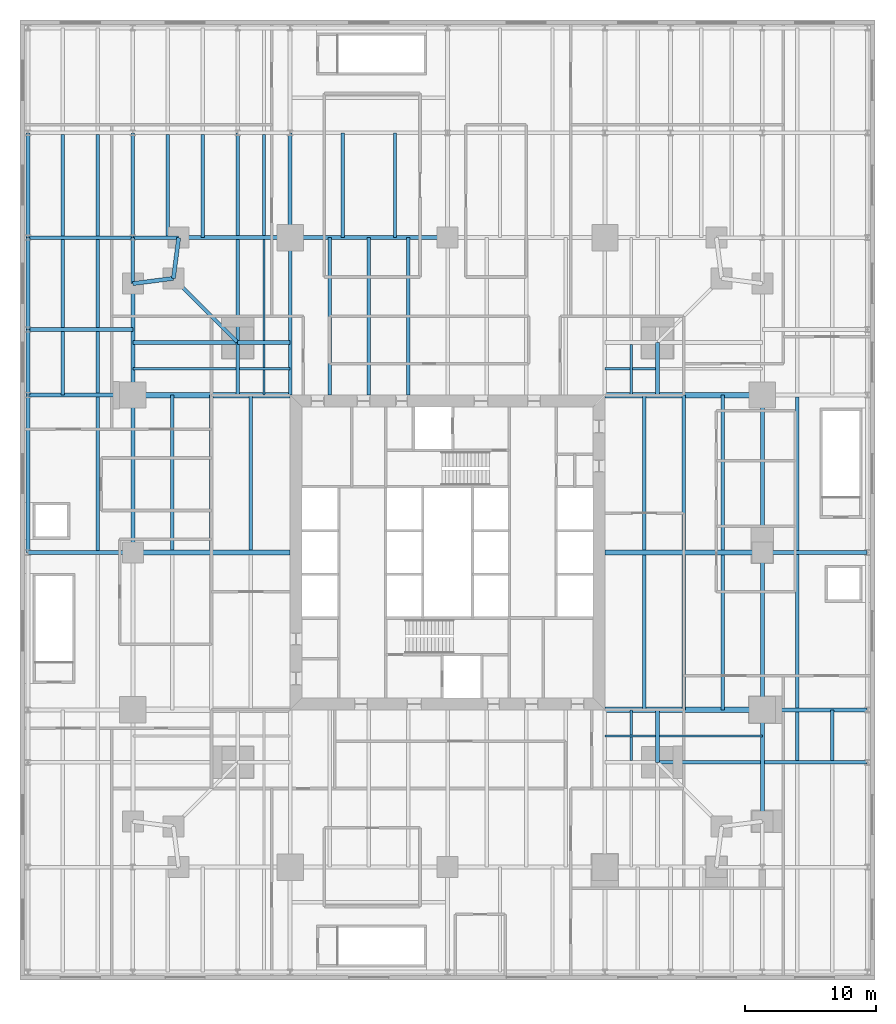
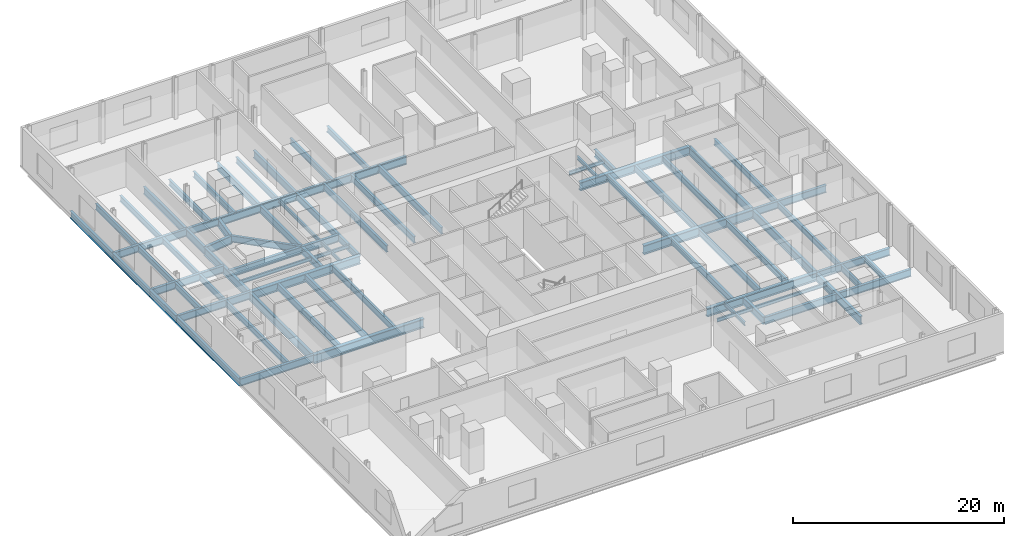
# One storey, part 6 of 15: 79 beams.
"""IFC4 building model written with IfcOpenShell, lengths in metres."""

from ifc_helpers import new_model, si_unit, direction, frame, origin, origin_2d, place, context, subcontext, project, spatial, i_section, extrude, material, material_profile, profile_set, type_object, element, save


model = new_model("IFC4")

# Units and contexts
model_context = context("Model", 3, precision=1e-05, world=origin(), true_north=direction((0.0, 1.0)))
body_context = subcontext(model_context, "Body", "Model", "MODEL_VIEW")
ifc_project = project(units=[si_unit("LENGTHUNIT", "METRE"), si_unit("AREAUNIT", "SQUARE_METRE"), si_unit("VOLUMEUNIT", "CUBIC_METRE"), si_unit("PLANEANGLEUNIT", "RADIAN"), si_unit("MASSUNIT", "GRAM", prefix="KILO")], contexts=[model_context])

# Site, building, storey
site_placement = place(None, origin())
site = spatial("IfcSite", under=ifc_project, at=site_placement, CompositionType="ELEMENT")
building_placement = place(site_placement, origin())
building = spatial("IfcBuilding", under=site, at=building_placement, Name="Fenwick Lantern Interchange", CompositionType="ELEMENT")
storey_placement = place(building_placement, frame((0.0, 0.0, 26.199951171875)))
storey = spatial("IfcBuildingStorey", under=building, at=storey_placement, Name="L05", CompositionType="ELEMENT", Elevation=26.199951171875)

# Beams
ifc_material = material(Name="Steel ASTM A992 Grade 50", Category="steel")
ifc_material_profile_1 = material_profile(ifc_material, i_section(OverallWidth=0.309814453125, OverallDepth=0.949951171875, WebThickness=0.0244140625, FlangeThickness=0.0439453125, at=origin_2d()), Name="W36X256")
ifc_profile_set_1 = profile_set([ifc_material_profile_1], Name="Steel ASTM A992 Grade 50")
beam_type_1 = type_object("IfcBeamType", Name="EDGE BEAM W36X256", PredefinedType="SPANDREL", material=ifc_profile_set_1)
beam_1_placement = place(storey_placement, frame((49.0, 4.5, -0.675048828125), z_axis=(0.0, 1.0, 0.0), x_axis=(-1.0, 0.0, 0.0)))
element("IfcBeam", 1, at=beam_1_placement, inside=storey, type_object=beam_type_1, Name="L05/FR/E/EB1", PredefinedType="SPANDREL", context=body_context, shape_type="SweptSolid", body=[
    extrude(i_section(OverallWidth=0.309814453125, OverallDepth=0.949951171875, WebThickness=0.0244140625, FlangeThickness=0.0439453125, at=origin_2d()), origin(), (0.0, 0.0, 1.0), 8.5),
])
for number, where, z_axis, x_axis, name in (
    (2, (49.0, 13.0, -0.675048828125), (0.0, 1.0, 0.0), (-1.0, 0.0, 0.0), "L05/FR/E/EB2"),
    (3, (49.0, 25.0, -0.675048828125), (0.0, 1.0, 0.0), (-1.0, 0.0, 0.0), "L05/FR/E/EB3"),
    (4, (25.0, 49.0, -0.675048828125), (-1.0, 0.0, 0.0), (0.0, -1.0, 0.0), "L05/FR/N/EB3"),
):
    element("IfcBeam", number, at=place(storey_placement, frame(where, z_axis=z_axis, x_axis=x_axis)), inside=storey, type_object=beam_type_1, Name=name, PredefinedType="SPANDREL", context=body_context, shape_type="SweptSolid", body=[
        extrude(i_section(OverallWidth=0.309814453125, OverallDepth=0.949951171875, WebThickness=0.0244140625, FlangeThickness=0.0439453125, at=origin_2d()), origin(), (0.0, 0.0, 1.0), 12.0),
    ])
beam_2_placement = place(storey_placement, frame((13.0, 49.0, -0.675048828125), z_axis=(-1.0, 0.0, 0.0), x_axis=(0.0, -1.0, 0.0)))
element("IfcBeam", 5, at=beam_2_placement, inside=storey, type_object=beam_type_1, Name="L05/FR/N/EB4", PredefinedType="SPANDREL", context=body_context, shape_type="SweptSolid", body=[
    extrude(i_section(OverallWidth=0.309814453125, OverallDepth=0.949951171875, WebThickness=0.0244140625, FlangeThickness=0.0439453125, at=origin_2d()), origin(), (0.0, 0.0, 1.0), 8.5),
])
for number, where, z_axis, x_axis, name in (
    (6, (4.5, 49.0, -0.675048828125), (-0.127936641807, -0.991782342897, 0.0), (0.991782342897, -0.127936641807, 0.0), "L05/FR/N/EBR1"),
    (7, (4.10009765625, 45.89990234375, -0.675048828125), (-0.991782342897, -0.127936641807, 0.0), (0.127936641807, -0.991782342897, 0.0), "L05/FR/N/EBR2"),
):
    element("IfcBeam", number, at=place(storey_placement, frame(where, z_axis=z_axis, x_axis=x_axis)), inside=storey, type_object=beam_type_1, Name=name, PredefinedType="SPANDREL", context=body_context, shape_type="SweptSolid", body=[
        extrude(i_section(OverallWidth=0.309814453125, OverallDepth=0.949951171875, WebThickness=0.0244140625, FlangeThickness=0.0439453125, at=origin_2d()), origin(), (0.0, 0.0, 1.0), 3.125732421875),
    ])
beam_3_placement = place(storey_placement, frame((1.0, 45.5, -0.675048828125), z_axis=(0.0, -1.0, 0.0), x_axis=(1.0, 0.0, 0.0)))
element("IfcBeam", 8, at=beam_3_placement, inside=storey, type_object=beam_type_1, Name="L05/FR/W/EB1", PredefinedType="SPANDREL", context=body_context, shape_type="SweptSolid", body=[
    extrude(i_section(OverallWidth=0.309814453125, OverallDepth=0.949951171875, WebThickness=0.0244140625, FlangeThickness=0.0439453125, at=origin_2d()), origin(), (0.0, 0.0, 1.0), 8.5),
])
beam_4_placement = place(storey_placement, frame((1.0, 37.0, -0.675048828125), z_axis=(0.0, -1.0, 0.0), x_axis=(1.0, 0.0, 0.0)))
element("IfcBeam", 9, at=beam_4_placement, inside=storey, type_object=beam_type_1, Name="L05/FR/W/EB2", PredefinedType="SPANDREL", context=body_context, shape_type="SweptSolid", body=[
    extrude(i_section(OverallWidth=0.309814453125, OverallDepth=0.949951171875, WebThickness=0.0244140625, FlangeThickness=0.0439453125, at=origin_2d()), origin(), (0.0, 0.0, 1.0), 12.0),
])
ifc_material_profile_2 = material_profile(ifc_material, i_section(OverallWidth=0.2666015625, OverallDepth=0.7568359375, WebThickness=0.013916015625, FlangeThickness=0.019287109375, at=origin_2d()), Name="W30X108")
ifc_profile_set_2 = profile_set([ifc_material_profile_2], Name="Steel ASTM A992 Grade 50")
beam_type_2 = type_object("IfcBeamType", Name="FLOOR BEAM W30X108", PredefinedType="BEAM", material=ifc_profile_set_2)
for number, where, z_axis, x_axis, name in (
    (10, (46.0, 13.0, -0.578369140625), (0.0, 1.0, 0.0), (-1.0, 0.0, 0.0), "L05/FR/E/B01"),
    (11, (43.0, 13.0, -0.578369140625), (0.0, 1.0, 0.0), (-1.0, 0.0, 0.0), "L05/FR/E/B02"),
    (12, (40.0, 13.0, -0.578369140625), (0.0, 1.0, 0.0), (-1.0, 0.0, 0.0), "L05/FR/E/B03"),
    (13, (46.0, 25.20458984375, -0.578369140625), (0.0, 1.0, 0.0), (-1.0, 0.0, 0.0), "L05/FR/E/B04"),
    (14, (43.0, 25.20458984375, -0.578369140625), (0.0, 1.0, 0.0), (-1.0, 0.0, 0.0), "L05/FR/E/B05"),
    (15, (40.0, 25.20458984375, -0.578369140625), (0.0, 1.0, 0.0), (-1.0, 0.0, 0.0), "L05/FR/E/B06"),
):
    element("IfcBeam", number, at=place(storey_placement, frame(where, z_axis=z_axis, x_axis=x_axis)), inside=storey, type_object=beam_type_2, Name=name, PredefinedType="BEAM", context=body_context, shape_type="SweptSolid", body=[
        extrude(i_section(OverallWidth=0.2666015625, OverallDepth=0.7568359375, WebThickness=0.013916015625, FlangeThickness=0.019287109375, at=origin_2d()), origin(), (0.0, 0.0, 1.0), 11.79541015625),
    ])
for number, where, z_axis, x_axis, name in (
    (16, (22.0, 49.0, -0.578369140625), (0.0, -1.0, 0.0), (1.0, 0.0, 0.0), "L05/FR/N/R06"),
    (17, (19.0, 49.0, -0.578369140625), (0.0, -1.0, 0.0), (1.0, 0.0, 0.0), "L05/FR/N/R07"),
    (18, (16.0, 49.0, -0.578369140625), (0.0, -1.0, 0.0), (1.0, 0.0, 0.0), "L05/FR/N/R08"),
):
    element("IfcBeam", number, at=place(storey_placement, frame(where, z_axis=z_axis, x_axis=x_axis)), inside=storey, type_object=beam_type_2, Name=name, PredefinedType="BEAM", context=body_context, shape_type="SweptSolid", body=[
        extrude(i_section(OverallWidth=0.2666015625, OverallDepth=0.7568359375, WebThickness=0.013916015625, FlangeThickness=0.019287109375, at=origin_2d()), origin(), (0.0, 0.0, 1.0), 12.0),
    ])
for number, where, z_axis, x_axis, name in (
    (19, (4.0, 37.0, -0.578369140625), (0.0, -1.0, 0.0), (1.0, 0.0, 0.0), "L05/FR/W/B01"),
    (20, (7.0, 37.0, -0.578369140625), (0.0, -1.0, 0.0), (1.0, 0.0, 0.0), "L05/FR/W/B02"),
    (21, (10.0, 37.0, -0.578369140625), (0.0, -1.0, 0.0), (1.0, 0.0, 0.0), "L05/FR/W/B03"),
):
    element("IfcBeam", number, at=place(storey_placement, frame(where, z_axis=z_axis, x_axis=x_axis)), inside=storey, type_object=beam_type_2, Name=name, PredefinedType="BEAM", context=body_context, shape_type="SweptSolid", body=[
        extrude(i_section(OverallWidth=0.2666015625, OverallDepth=0.7568359375, WebThickness=0.013916015625, FlangeThickness=0.019287109375, at=origin_2d()), origin(), (0.0, 0.0, 1.0), 11.79541015625),
    ])
ifc_material_profile_3 = material_profile(ifc_material, i_section(OverallWidth=0.177734375, OverallDepth=0.406494140625, WebThickness=0.0078125, FlangeThickness=0.012939453125, at=origin_2d()), Name="W16X40")
ifc_profile_set_3 = profile_set([ifc_material_profile_3], Name="Steel ASTM A992 Grade 50")
beam_type_3 = type_object("IfcBeamType", Name="INFILL BEAM W16X40", PredefinedType="JOIST", material=ifc_profile_set_3)
beam_5_placement = place(storey_placement, frame((49.0, 11.0, -0.403076171875), z_axis=(-1.0, 0.0, 0.0), x_axis=(0.0, -1.0, 0.0)))
element("IfcBeam", 22, at=beam_5_placement, inside=storey, type_object=beam_type_3, Name="L05/FR/E/J1", PredefinedType="JOIST", context=body_context, shape_type="SweptSolid", body=[
    extrude(i_section(OverallWidth=0.177734375, OverallDepth=0.406494140625, WebThickness=0.0078125, FlangeThickness=0.012939453125, at=origin_2d()), origin(), (0.0, 0.0, 1.0), 7.85400390625),
])
beam_6_placement = place(storey_placement, frame((40.85400390625, 11.0, -0.403076171875), z_axis=(-1.0, 0.0, 0.0), x_axis=(0.0, -1.0, 0.0)))
element("IfcBeam", 23, at=beam_6_placement, inside=storey, type_object=beam_type_3, Name="L05/FR/E/J2", PredefinedType="JOIST", context=body_context, shape_type="SweptSolid", body=[
    extrude(i_section(OverallWidth=0.177734375, OverallDepth=0.406494140625, WebThickness=0.0078125, FlangeThickness=0.012939453125, at=origin_2d()), origin(), (0.0, 0.0, 1.0), 3.85400390625),
])
beam_7_placement = place(storey_placement, frame((39.0, 9.14599609375, -0.403076171875), z_axis=(0.0, 1.0, 0.0), x_axis=(-1.0, 0.0, 0.0)))
element("IfcBeam", 24, at=beam_7_placement, inside=storey, type_object=beam_type_3, Name="L05/FR/E/J4", PredefinedType="JOIST", context=body_context, shape_type="SweptSolid", body=[
    extrude(i_section(OverallWidth=0.177734375, OverallDepth=0.406494140625, WebThickness=0.0078125, FlangeThickness=0.012939453125, at=origin_2d()), origin(), (0.0, 0.0, 1.0), 1.76513671875),
])
beam_8_placement = place(storey_placement, frame((39.0, 11.0888671875, -0.403076171875), z_axis=(0.0, 1.0, 0.0), x_axis=(-1.0, 0.0, 0.0)))
element("IfcBeam", 25, at=beam_8_placement, inside=storey, type_object=beam_type_3, Name="L05/FR/E/J5", PredefinedType="JOIST", context=body_context, shape_type="SweptSolid", body=[
    extrude(i_section(OverallWidth=0.177734375, OverallDepth=0.406494140625, WebThickness=0.0078125, FlangeThickness=0.012939453125, at=origin_2d()), origin(), (0.0, 0.0, 1.0), 1.9111328125),
])
beam_9_placement = place(storey_placement, frame((39.0, 40.85400390625, -0.403076171875), z_axis=(0.0, -1.0, 0.0), x_axis=(1.0, 0.0, 0.0)))
element("IfcBeam", 26, at=beam_9_placement, inside=storey, type_object=beam_type_3, Name="L05/FR/N/J2", PredefinedType="JOIST", context=body_context, shape_type="SweptSolid", body=[
    extrude(i_section(OverallWidth=0.177734375, OverallDepth=0.406494140625, WebThickness=0.0078125, FlangeThickness=0.012939453125, at=origin_2d()), origin(), (0.0, 0.0, 1.0), 3.85400390625),
])
beam_10_placement = place(storey_placement, frame((40.85400390625, 39.0, -0.403076171875), z_axis=(-1.0, 0.0, 0.0), x_axis=(0.0, -1.0, 0.0)))
element("IfcBeam", 27, at=beam_10_placement, inside=storey, type_object=beam_type_3, Name="L05/FR/N/J4", PredefinedType="JOIST", context=body_context, shape_type="SweptSolid", body=[
    extrude(i_section(OverallWidth=0.177734375, OverallDepth=0.406494140625, WebThickness=0.0078125, FlangeThickness=0.012939453125, at=origin_2d()), origin(), (0.0, 0.0, 1.0), 1.76513671875),
])
beam_11_placement = place(storey_placement, frame((38.9111328125, 39.0, -0.403076171875), z_axis=(-1.0, 0.0, 0.0), x_axis=(0.0, -1.0, 0.0)))
element("IfcBeam", 28, at=beam_11_placement, inside=storey, type_object=beam_type_3, Name="L05/FR/N/J5", PredefinedType="JOIST", context=body_context, shape_type="SweptSolid", body=[
    extrude(i_section(OverallWidth=0.177734375, OverallDepth=0.406494140625, WebThickness=0.0078125, FlangeThickness=0.012939453125, at=origin_2d()), origin(), (0.0, 0.0, 1.0), 1.9111328125),
])
beam_12_placement = place(storey_placement, frame((1.0, 39.0, -0.403076171875), z_axis=(1.0, 0.0, 0.0), x_axis=(0.0, 1.0, 0.0)))
element("IfcBeam", 29, at=beam_12_placement, inside=storey, type_object=beam_type_3, Name="L05/FR/W/J1", PredefinedType="JOIST", context=body_context, shape_type="SweptSolid", body=[
    extrude(i_section(OverallWidth=0.177734375, OverallDepth=0.406494140625, WebThickness=0.0078125, FlangeThickness=0.012939453125, at=origin_2d()), origin(), (0.0, 0.0, 1.0), 7.85400390625),
])
beam_13_placement = place(storey_placement, frame((9.14599609375, 39.0, -0.403076171875), z_axis=(1.0, 0.0, 0.0), x_axis=(0.0, 1.0, 0.0)))
element("IfcBeam", 30, at=beam_13_placement, inside=storey, type_object=beam_type_3, Name="L05/FR/W/J2", PredefinedType="JOIST", context=body_context, shape_type="SweptSolid", body=[
    extrude(i_section(OverallWidth=0.177734375, OverallDepth=0.406494140625, WebThickness=0.0078125, FlangeThickness=0.012939453125, at=origin_2d()), origin(), (0.0, 0.0, 1.0), 3.85400390625),
])
beam_14_placement = place(storey_placement, frame((11.0, 48.844970703125, -0.403076171875), z_axis=(0.0, -1.0, 0.0), x_axis=(1.0, 0.0, 0.0)))
element("IfcBeam", 31, at=beam_14_placement, inside=storey, type_object=beam_type_3, Name="L05/FR/W/J3", PredefinedType="JOIST", context=body_context, shape_type="SweptSolid", body=[
    extrude(i_section(OverallWidth=0.177734375, OverallDepth=0.406494140625, WebThickness=0.0078125, FlangeThickness=0.012939453125, at=origin_2d()), origin(), (0.0, 0.0, 1.0), 7.698974609375),
])
beam_15_placement = place(storey_placement, frame((11.0, 40.85400390625, -0.403076171875), z_axis=(0.0, -1.0, 0.0), x_axis=(1.0, 0.0, 0.0)))
element("IfcBeam", 32, at=beam_15_placement, inside=storey, type_object=beam_type_3, Name="L05/FR/W/J4", PredefinedType="JOIST", context=body_context, shape_type="SweptSolid", body=[
    extrude(i_section(OverallWidth=0.177734375, OverallDepth=0.406494140625, WebThickness=0.0078125, FlangeThickness=0.012939453125, at=origin_2d()), origin(), (0.0, 0.0, 1.0), 1.76513671875),
])
beam_16_placement = place(storey_placement, frame((11.0, 38.9111328125, -0.403076171875), z_axis=(0.0, -1.0, 0.0), x_axis=(1.0, 0.0, 0.0)))
element("IfcBeam", 33, at=beam_16_placement, inside=storey, type_object=beam_type_3, Name="L05/FR/W/J5", PredefinedType="JOIST", context=body_context, shape_type="SweptSolid", body=[
    extrude(i_section(OverallWidth=0.177734375, OverallDepth=0.406494140625, WebThickness=0.0078125, FlangeThickness=0.012939453125, at=origin_2d()), origin(), (0.0, 0.0, 1.0), 1.9111328125),
])
ifc_material_profile_4 = material_profile(ifc_material, i_section(OverallWidth=0.2919921875, OverallDepth=0.845703125, WebThickness=0.015380859375, FlangeThickness=0.0244140625, at=origin_2d()), Name="W33X141")
ifc_profile_set_4 = profile_set([ifc_material_profile_4], Name="Steel ASTM A992 Grade 50")
beam_type_4 = type_object("IfcBeamType", Name="MEGA COLUMN BEAM W33X141", PredefinedType="BEAM", material=ifc_profile_set_4)
beam_17_placement = place(storey_placement, frame((41.0, 9.0, -0.622802734375), z_axis=(1.0, 0.0, 0.0), x_axis=(0.0, 1.0, 0.0)))
element("IfcBeam", 34, at=beam_17_placement, inside=storey, type_object=beam_type_4, Name="L05/FR/E/MB1", PredefinedType="BEAM", context=body_context, shape_type="SweptSolid", body=[
    extrude(i_section(OverallWidth=0.2919921875, OverallDepth=0.845703125, WebThickness=0.015380859375, FlangeThickness=0.0244140625, at=origin_2d()), origin(), (0.0, 0.0, 1.0), 7.844970703125),
])
for number, where, z_axis, x_axis, name in (
    (35, (41.0, 9.0, -0.622802734375), (0.0, 1.0, 0.0), (-1.0, 0.0, 0.0), "L05/FR/E/MB3"),
    (36, (41.0, 41.0, -0.622802734375), (0.0, -1.0, 0.0), (1.0, 0.0, 0.0), "L05/FR/N/MB4"),
):
    element("IfcBeam", number, at=place(storey_placement, frame(where, z_axis=z_axis, x_axis=x_axis)), inside=storey, type_object=beam_type_4, Name=name, PredefinedType="BEAM", context=body_context, shape_type="SweptSolid", body=[
        extrude(i_section(OverallWidth=0.2919921875, OverallDepth=0.845703125, WebThickness=0.015380859375, FlangeThickness=0.0244140625, at=origin_2d()), origin(), (0.0, 0.0, 1.0), 4.0),
    ])
beam_18_placement = place(storey_placement, frame((9.0, 41.0, -0.622802734375), z_axis=(-1.0, 0.0, 0.0), x_axis=(0.0, -1.0, 0.0)))
element("IfcBeam", 37, at=beam_18_placement, inside=storey, type_object=beam_type_4, Name="L05/FR/W/MB1", PredefinedType="BEAM", context=body_context, shape_type="SweptSolid", body=[
    extrude(i_section(OverallWidth=0.2919921875, OverallDepth=0.845703125, WebThickness=0.015380859375, FlangeThickness=0.0244140625, at=origin_2d()), origin(), (0.0, 0.0, 1.0), 8.0),
])
beam_19_placement = place(storey_placement, frame((9.0, 41.0, -0.622802734375), z_axis=(0.0, 1.0, 0.0), x_axis=(-1.0, 0.0, 0.0)))
element("IfcBeam", 38, at=beam_19_placement, inside=storey, type_object=beam_type_4, Name="L05/FR/W/MB2", PredefinedType="BEAM", context=body_context, shape_type="SweptSolid", body=[
    extrude(i_section(OverallWidth=0.2919921875, OverallDepth=0.845703125, WebThickness=0.015380859375, FlangeThickness=0.0244140625, at=origin_2d()), origin(), (0.0, 0.0, 1.0), 7.844970703125),
])
for number, where, z_axis, x_axis, name in (
    (39, (9.0, 41.0, -0.622802734375), (0.0, -1.0, 0.0), (1.0, 0.0, 0.0), "L05/FR/W/MB3"),
    (40, (9.0, 41.0, -0.622802734375), (1.0, 0.0, 0.0), (0.0, 1.0, 0.0), "L05/FR/W/MB4"),
):
    element("IfcBeam", number, at=place(storey_placement, frame(where, z_axis=z_axis, x_axis=x_axis)), inside=storey, type_object=beam_type_4, Name=name, PredefinedType="BEAM", context=body_context, shape_type="SweptSolid", body=[
        extrude(i_section(OverallWidth=0.2919921875, OverallDepth=0.845703125, WebThickness=0.015380859375, FlangeThickness=0.0244140625, at=origin_2d()), origin(), (0.0, 0.0, 1.0), 4.0),
    ])
ifc_material_profile_5 = material_profile(ifc_material, i_section(OverallWidth=0.2666015625, OverallDepth=0.76953125, WebThickness=0.015625, FlangeThickness=0.025390625, at=origin_2d()), Name="W30X132")
ifc_profile_set_5 = profile_set([ifc_material_profile_5], Name="Steel ASTM A992 Grade 50")
beam_type_5 = type_object("IfcBeamType", Name="MOMENT-CONNECTED GIRDER W30X132", PredefinedType="BEAM", material=ifc_profile_set_5)
beam_20_placement = place(storey_placement, frame((13.0, 49.0, -0.584716796875), z_axis=(0.0, -1.0, 0.0), x_axis=(1.0, 0.0, 0.0)))
element("IfcBeam", 41, at=beam_20_placement, inside=storey, type_object=beam_type_5, Name="L05/FR/N/R09", PredefinedType="BEAM", context=body_context, shape_type="SweptSolid", body=[
    extrude(i_section(OverallWidth=0.2666015625, OverallDepth=0.76953125, WebThickness=0.015625, FlangeThickness=0.025390625, at=origin_2d()), origin(), (0.0, 0.0, 1.0), 12.0),
])
ifc_material_profile_6 = material_profile(ifc_material, i_section(OverallWidth=0.424072265625, OverallDepth=0.947509765625, WebThickness=0.02392578125, FlangeThickness=0.042724609375, at=origin_2d()), Name="W36X302")
ifc_profile_set_6 = profile_set([ifc_material_profile_6], Name="Steel ASTM A992 Grade 50")
beam_type_6 = type_object("IfcBeamType", Name="MOMENT-CONNECTED GIRDER W36X302", PredefinedType="BEAM", material=ifc_profile_set_6)
for number, where, z_axis, x_axis, name in (
    (42, (49.0, 13.0, -0.673583984375), (-1.0, 0.0, 0.0), (0.0, -1.0, 0.0), "L05/FR/E/R01"),
    (43, (49.0, 37.0, -0.673583984375), (-1.0, 0.0, 0.0), (0.0, -1.0, 0.0), "L05/FR/E/R03"),
    (44, (1.0, 37.0, -0.673583984375), (1.0, 0.0, 0.0), (0.0, 1.0, 0.0), "L05/FR/W/R01"),
):
    element("IfcBeam", number, at=place(storey_placement, frame(where, z_axis=z_axis, x_axis=x_axis)), inside=storey, type_object=beam_type_6, Name=name, PredefinedType="BEAM", context=body_context, shape_type="SweptSolid", body=[
        extrude(i_section(OverallWidth=0.424072265625, OverallDepth=0.947509765625, WebThickness=0.02392578125, FlangeThickness=0.042724609375, at=origin_2d()), origin(), (0.0, 0.0, 1.0), 12.0),
    ])
ifc_material_profile_7 = material_profile(ifc_material, i_section(OverallWidth=0.408935546875, OverallDepth=1.04150390625, WebThickness=0.031005859375, FlangeThickness=0.055908203125, at=origin_2d()), Name="W40X397")
ifc_profile_set_7 = profile_set([ifc_material_profile_7], Name="Steel ASTM A992 Grade 50")
beam_type_7 = type_object("IfcBeamType", Name="MOMENT-CONNECTED GIRDER W40X397", PredefinedType="BEAM", material=ifc_profile_set_7)
for number, where, z_axis, x_axis, name in (
    (45, (49.0, 25.0, -0.720703125), (-1.0, 0.0, 0.0), (0.0, -1.0, 0.0), "L05/FR/E/R02"),
    (46, (1.0, 25.0, -0.720703125), (1.0, 0.0, 0.0), (0.0, 1.0, 0.0), "L05/FR/W/R02"),
):
    element("IfcBeam", number, at=place(storey_placement, frame(where, z_axis=z_axis, x_axis=x_axis)), inside=storey, type_object=beam_type_7, Name=name, PredefinedType="BEAM", context=body_context, shape_type="SweptSolid", body=[
        extrude(i_section(OverallWidth=0.408935546875, OverallDepth=1.04150390625, WebThickness=0.031005859375, FlangeThickness=0.055908203125, at=origin_2d()), origin(), (0.0, 0.0, 1.0), 12.0),
    ])
ifc_material_profile_8 = material_profile(ifc_material, i_section(OverallWidth=0.2919921875, OverallDepth=0.845703125, WebThickness=0.015380859375, FlangeThickness=0.0244140625, at=origin_2d()), Name="W33X141")
ifc_profile_set_8 = profile_set([ifc_material_profile_8], Name="Steel ASTM A992 Grade 50")
beam_type_8 = type_object("IfcBeamType", Name="MOMENT-CONNECTED PODIUM GIRDER W33X141", PredefinedType="BEAM", material=ifc_profile_set_8)
beam_21_placement = place(storey_placement, frame((49.155029296875, 9.0, -0.622802734375), z_axis=(1.0, 0.0, 0.0), x_axis=(0.0, 1.0, 0.0)))
element("IfcBeam", 47, at=beam_21_placement, inside=storey, type_object=beam_type_8, Name="L05/PF/G014", PredefinedType="BEAM", context=body_context, shape_type="SweptSolid", body=[
    extrude(i_section(OverallWidth=0.2919921875, OverallDepth=0.845703125, WebThickness=0.015380859375, FlangeThickness=0.0244140625, at=origin_2d()), origin(), (0.0, 0.0, 1.0), 7.844970703125),
])
for number, where, z_axis, x_axis, name in (
    (48, (49.0, 13.0, -0.622802734375), (1.0, 0.0, 0.0), (0.0, 1.0, 0.0), "L05/PF/G016"),
    (49, (-7.0, 25.0, -0.622802734375), (1.0, 0.0, 0.0), (0.0, 1.0, 0.0), "L05/PF/G017"),
    (50, (49.0, 25.0, -0.622802734375), (1.0, 0.0, 0.0), (0.0, 1.0, 0.0), "L05/PF/G018"),
    (51, (-7.0, 37.0, -0.622802734375), (1.0, 0.0, 0.0), (0.0, 1.0, 0.0), "L05/PF/G019"),
    (52, (-7.0, 42.0, -0.622802734375), (1.0, 0.0, 0.0), (0.0, 1.0, 0.0), "L05/PF/G021"),
    (53, (-7.0, 49.0, -0.622802734375), (1.0, 0.0, 0.0), (0.0, 1.0, 0.0), "L05/PF/G023"),
):
    element("IfcBeam", number, at=place(storey_placement, frame(where, z_axis=z_axis, x_axis=x_axis)), inside=storey, type_object=beam_type_8, Name=name, PredefinedType="BEAM", context=body_context, shape_type="SweptSolid", body=[
        extrude(i_section(OverallWidth=0.2919921875, OverallDepth=0.845703125, WebThickness=0.015380859375, FlangeThickness=0.0244140625, at=origin_2d()), origin(), (0.0, 0.0, 1.0), 8.0),
    ])
beam_22_placement = place(storey_placement, frame((1.0, 49.0, -0.622802734375), z_axis=(1.0, 0.0, 0.0), x_axis=(0.0, 1.0, 0.0)))
element("IfcBeam", 54, at=beam_22_placement, inside=storey, type_object=beam_type_8, Name="L05/PF/G024", PredefinedType="BEAM", context=body_context, shape_type="SweptSolid", body=[
    extrude(i_section(OverallWidth=0.2919921875, OverallDepth=0.845703125, WebThickness=0.015380859375, FlangeThickness=0.0244140625, at=origin_2d()), origin(), (0.0, 0.0, 1.0), 3.5),
])
beam_23_placement = place(storey_placement, frame((-7.0, 25.0, -0.622802734375), z_axis=(0.0, 1.0, 0.0), x_axis=(-1.0, 0.0, 0.0)))
element("IfcBeam", 55, at=beam_23_placement, inside=storey, type_object=beam_type_8, Name="L05/PF/G047", PredefinedType="BEAM", context=body_context, shape_type="SweptSolid", body=[
    extrude(i_section(OverallWidth=0.2919921875, OverallDepth=0.845703125, WebThickness=0.015380859375, FlangeThickness=0.0244140625, at=origin_2d()), origin(), (0.0, 0.0, 1.0), 12.0),
])
beam_24_placement = place(storey_placement, frame((-7.0, 37.0, -0.622802734375), z_axis=(0.0, 1.0, 0.0), x_axis=(-1.0, 0.0, 0.0)))
element("IfcBeam", 56, at=beam_24_placement, inside=storey, type_object=beam_type_8, Name="L05/PF/G048", PredefinedType="BEAM", context=body_context, shape_type="SweptSolid", body=[
    extrude(i_section(OverallWidth=0.2919921875, OverallDepth=0.845703125, WebThickness=0.015380859375, FlangeThickness=0.0244140625, at=origin_2d()), origin(), (0.0, 0.0, 1.0), 5.0),
])
beam_25_placement = place(storey_placement, frame((-7.0, 42.0, -0.622802734375), z_axis=(0.0, 1.0, 0.0), x_axis=(-1.0, 0.0, 0.0)))
element("IfcBeam", 57, at=beam_25_placement, inside=storey, type_object=beam_type_8, Name="L05/PF/G049", PredefinedType="BEAM", context=body_context, shape_type="SweptSolid", body=[
    extrude(i_section(OverallWidth=0.2919921875, OverallDepth=0.845703125, WebThickness=0.015380859375, FlangeThickness=0.0244140625, at=origin_2d()), origin(), (0.0, 0.0, 1.0), 7.0),
])
beam_26_placement = place(storey_placement, frame((-7.0, 49.0, -0.622802734375), z_axis=(0.0, 1.0, 0.0), x_axis=(-1.0, 0.0, 0.0)))
element("IfcBeam", 58, at=beam_26_placement, inside=storey, type_object=beam_type_8, Name="L05/PF/G050", PredefinedType="BEAM", context=body_context, shape_type="SweptSolid", body=[
    extrude(i_section(OverallWidth=0.2919921875, OverallDepth=0.845703125, WebThickness=0.015380859375, FlangeThickness=0.0244140625, at=origin_2d()), origin(), (0.0, 0.0, 1.0), 8.0),
])
beam_27_placement = place(storey_placement, frame((1.0, 45.5, -0.622802734375), z_axis=(0.0, 1.0, 0.0), x_axis=(-1.0, 0.0, 0.0)))
element("IfcBeam", 59, at=beam_27_placement, inside=storey, type_object=beam_type_8, Name="L05/PF/G054", PredefinedType="BEAM", context=body_context, shape_type="SweptSolid", body=[
    extrude(i_section(OverallWidth=0.2919921875, OverallDepth=0.845703125, WebThickness=0.015380859375, FlangeThickness=0.0244140625, at=origin_2d()), origin(), (0.0, 0.0, 1.0), 3.5),
])
beam_28_placement = place(storey_placement, frame((1.0, 49.0, -0.622802734375), z_axis=(0.0, 1.0, 0.0), x_axis=(-1.0, 0.0, 0.0)))
element("IfcBeam", 60, at=beam_28_placement, inside=storey, type_object=beam_type_8, Name="L05/PF/G055", PredefinedType="BEAM", context=body_context, shape_type="SweptSolid", body=[
    extrude(i_section(OverallWidth=0.2919921875, OverallDepth=0.845703125, WebThickness=0.015380859375, FlangeThickness=0.0244140625, at=origin_2d()), origin(), (0.0, 0.0, 1.0), 8.0),
])
beam_29_placement = place(storey_placement, frame((9.0, 49.155029296875, -0.622802734375), z_axis=(0.0, 1.0, 0.0), x_axis=(-1.0, 0.0, 0.0)))
element("IfcBeam", 61, at=beam_29_placement, inside=storey, type_object=beam_type_8, Name="L05/PF/G058", PredefinedType="BEAM", context=body_context, shape_type="SweptSolid", body=[
    extrude(i_section(OverallWidth=0.2919921875, OverallDepth=0.845703125, WebThickness=0.015380859375, FlangeThickness=0.0244140625, at=origin_2d()), origin(), (0.0, 0.0, 1.0), 7.844970703125),
])
beam_30_placement = place(storey_placement, frame((13.0, 49.0, -0.622802734375), z_axis=(0.0, 1.0, 0.0), x_axis=(-1.0, 0.0, 0.0)))
element("IfcBeam", 62, at=beam_30_placement, inside=storey, type_object=beam_type_8, Name="L05/PF/G061", PredefinedType="BEAM", context=body_context, shape_type="SweptSolid", body=[
    extrude(i_section(OverallWidth=0.2919921875, OverallDepth=0.845703125, WebThickness=0.015380859375, FlangeThickness=0.0244140625, at=origin_2d()), origin(), (0.0, 0.0, 1.0), 8.0),
])
ifc_material_profile_9 = material_profile(ifc_material, i_section(OverallWidth=0.2666015625, OverallDepth=0.7568359375, WebThickness=0.013916015625, FlangeThickness=0.019287109375, at=origin_2d()), Name="W30X108")
ifc_profile_set_9 = profile_set([ifc_material_profile_9], Name="Steel ASTM A992 Grade 50")
beam_type_9 = type_object("IfcBeamType", Name="NOTCH BEAM W30X108", PredefinedType="BEAM", material=ifc_profile_set_9)
beam_31_placement = place(storey_placement, frame((9.0, 41.0, -0.578369140625), z_axis=(-0.707106781187, 0.707106781187, 0.0), x_axis=(-0.707106781187, -0.707106781187, 0.0)))
element("IfcBeam", 63, at=beam_31_placement, inside=storey, type_object=beam_type_9, Name="L05/FR/W/TG", PredefinedType="BEAM", context=body_context, shape_type="SweptSolid", body=[
    extrude(i_section(OverallWidth=0.2666015625, OverallDepth=0.7568359375, WebThickness=0.013916015625, FlangeThickness=0.019287109375, at=origin_2d()), origin(), (0.0, 0.0, 1.0), 6.929443359375),
])
ifc_material_profile_10 = material_profile(ifc_material, i_section(OverallWidth=0.25390625, OverallDepth=0.683349609375, WebThickness=0.012451171875, FlangeThickness=0.01904296875, at=origin_2d()), Name="W27X94")
ifc_profile_set_10 = profile_set([ifc_material_profile_10], Name="Steel ASTM A992 Grade 50")
beam_type_10 = type_object("IfcBeamType", Name="PODIUM BEAM W27X94", PredefinedType="JOIST", material=ifc_profile_set_10)
beam_32_placement = place(storey_placement, frame((-1.666748046875, 25.14599609375, -0.54150390625), z_axis=(0.0, 1.0, 0.0), x_axis=(-1.0, 0.0, 0.0)))
element("IfcBeam", 64, at=beam_32_placement, inside=storey, type_object=beam_type_10, Name="L05/PF/J093", PredefinedType="JOIST", context=body_context, shape_type="SweptSolid", body=[
    extrude(i_section(OverallWidth=0.25390625, OverallDepth=0.683349609375, WebThickness=0.012451171875, FlangeThickness=0.01904296875, at=origin_2d()), origin(), (0.0, 0.0, 1.0), 11.7080078125),
])
beam_33_placement = place(storey_placement, frame((-4.333251953125, 37.0, -0.54150390625), z_axis=(0.0, 1.0, 0.0), x_axis=(-1.0, 0.0, 0.0)))
element("IfcBeam", 65, at=beam_33_placement, inside=storey, type_object=beam_type_10, Name="L05/PF/J094", PredefinedType="JOIST", context=body_context, shape_type="SweptSolid", body=[
    extrude(i_section(OverallWidth=0.25390625, OverallDepth=0.683349609375, WebThickness=0.012451171875, FlangeThickness=0.01904296875, at=origin_2d()), origin(), (0.0, 0.0, 1.0), 4.85400390625),
])
beam_34_placement = place(storey_placement, frame((-1.666748046875, 37.14599609375, -0.54150390625), z_axis=(0.0, 1.0, 0.0), x_axis=(-1.0, 0.0, 0.0)))
element("IfcBeam", 66, at=beam_34_placement, inside=storey, type_object=beam_type_10, Name="L05/PF/J095", PredefinedType="JOIST", context=body_context, shape_type="SweptSolid", body=[
    extrude(i_section(OverallWidth=0.25390625, OverallDepth=0.683349609375, WebThickness=0.012451171875, FlangeThickness=0.01904296875, at=origin_2d()), origin(), (0.0, 0.0, 1.0), 4.7080078125),
])
for number, where, z_axis, x_axis, name in (
    (67, (-4.333251953125, 42.14599609375, -0.54150390625), (0.0, 1.0, 0.0), (-1.0, 0.0, 0.0), "L05/PF/J096"),
    (68, (-1.666748046875, 42.14599609375, -0.54150390625), (0.0, 1.0, 0.0), (-1.0, 0.0, 0.0), "L05/PF/J097"),
):
    element("IfcBeam", number, at=place(storey_placement, frame(where, z_axis=z_axis, x_axis=x_axis)), inside=storey, type_object=beam_type_10, Name=name, PredefinedType="JOIST", context=body_context, shape_type="SweptSolid", body=[
        extrude(i_section(OverallWidth=0.25390625, OverallDepth=0.683349609375, WebThickness=0.012451171875, FlangeThickness=0.01904296875, at=origin_2d()), origin(), (0.0, 0.0, 1.0), 6.7080078125),
    ])
for number, where, z_axis, x_axis, name in (
    (69, (-4.333251953125, 49.14599609375, -0.54150390625), (0.0, 1.0, 0.0), (-1.0, 0.0, 0.0), "L05/PF/J098"),
    (70, (-1.666748046875, 49.14599609375, -0.54150390625), (0.0, 1.0, 0.0), (-1.0, 0.0, 0.0), "L05/PF/J099"),
):
    element("IfcBeam", number, at=place(storey_placement, frame(where, z_axis=z_axis, x_axis=x_axis)), inside=storey, type_object=beam_type_10, Name=name, PredefinedType="JOIST", context=body_context, shape_type="SweptSolid", body=[
        extrude(i_section(OverallWidth=0.25390625, OverallDepth=0.683349609375, WebThickness=0.012451171875, FlangeThickness=0.01904296875, at=origin_2d()), origin(), (0.0, 0.0, 1.0), 7.7080078125),
    ])
for number, where, z_axis, x_axis, name in (
    (71, (3.666748046875, 49.0, -0.54150390625), (0.0, 1.0, 0.0), (-1.0, 0.0, 0.0), "L05/PF/J104"),
    (72, (6.333251953125, 49.0, -0.54150390625), (0.0, 1.0, 0.0), (-1.0, 0.0, 0.0), "L05/PF/J105"),
):
    element("IfcBeam", number, at=place(storey_placement, frame(where, z_axis=z_axis, x_axis=x_axis)), inside=storey, type_object=beam_type_10, Name=name, PredefinedType="JOIST", context=body_context, shape_type="SweptSolid", body=[
        extrude(i_section(OverallWidth=0.25390625, OverallDepth=0.683349609375, WebThickness=0.012451171875, FlangeThickness=0.01904296875, at=origin_2d()), origin(), (0.0, 0.0, 1.0), 7.85400390625),
    ])
beam_35_placement = place(storey_placement, frame((11.0, 49.155029296875, -0.54150390625), z_axis=(0.0, 1.0, 0.0), x_axis=(-1.0, 0.0, 0.0)))
element("IfcBeam", 73, at=beam_35_placement, inside=storey, type_object=beam_type_10, Name="L05/PF/J109", PredefinedType="JOIST", context=body_context, shape_type="SweptSolid", body=[
    extrude(i_section(OverallWidth=0.25390625, OverallDepth=0.683349609375, WebThickness=0.012451171875, FlangeThickness=0.01904296875, at=origin_2d()), origin(), (0.0, 0.0, 1.0), 7.698974609375),
])
for number, where, z_axis, x_axis, name in (
    (74, (17.0, 49.0, -0.54150390625), (0.0, 1.0, 0.0), (-1.0, 0.0, 0.0), "L05/PF/J112"),
    (75, (21.0, 49.0, -0.54150390625), (0.0, 1.0, 0.0), (-1.0, 0.0, 0.0), "L05/PF/J113"),
):
    element("IfcBeam", number, at=place(storey_placement, frame(where, z_axis=z_axis, x_axis=x_axis)), inside=storey, type_object=beam_type_10, Name=name, PredefinedType="JOIST", context=body_context, shape_type="SweptSolid", body=[
        extrude(i_section(OverallWidth=0.25390625, OverallDepth=0.683349609375, WebThickness=0.012451171875, FlangeThickness=0.01904296875, at=origin_2d()), origin(), (0.0, 0.0, 1.0), 8.0),
    ])
beam_36_placement = place(storey_placement, frame((51.666748046875, 9.14599609375, -0.54150390625), z_axis=(0.0, 1.0, 0.0), x_axis=(-1.0, 0.0, 0.0)))
element("IfcBeam", 76, at=beam_36_placement, inside=storey, type_object=beam_type_10, Name="L05/PF/J134", PredefinedType="JOIST", context=body_context, shape_type="SweptSolid", body=[
    extrude(i_section(OverallWidth=0.25390625, OverallDepth=0.683349609375, WebThickness=0.012451171875, FlangeThickness=0.01904296875, at=origin_2d()), origin(), (0.0, 0.0, 1.0), 3.7080078125),
])
beam_37_placement = place(storey_placement, frame((54.333251953125, 9.14599609375, -0.54150390625), z_axis=(0.0, 1.0, 0.0), x_axis=(-1.0, 0.0, 0.0)))
element("IfcBeam", 77, at=beam_37_placement, inside=storey, type_object=beam_type_10, Name="L05/PF/J135", PredefinedType="JOIST", context=body_context, shape_type="SweptSolid", body=[
    extrude(i_section(OverallWidth=0.25390625, OverallDepth=0.683349609375, WebThickness=0.012451171875, FlangeThickness=0.01904296875, at=origin_2d()), origin(), (0.0, 0.0, 1.0), 3.85400390625),
])
for number, where, z_axis, x_axis, name in (
    (78, (51.666748046875, 13.14599609375, -0.54150390625), (0.0, 1.0, 0.0), (-1.0, 0.0, 0.0), "L05/PF/J136"),
    (79, (51.666748046875, 25.14599609375, -0.54150390625), (0.0, 1.0, 0.0), (-1.0, 0.0, 0.0), "L05/PF/J137"),
):
    element("IfcBeam", number, at=place(storey_placement, frame(where, z_axis=z_axis, x_axis=x_axis)), inside=storey, type_object=beam_type_10, Name=name, PredefinedType="JOIST", context=body_context, shape_type="SweptSolid", body=[
        extrude(i_section(OverallWidth=0.25390625, OverallDepth=0.683349609375, WebThickness=0.012451171875, FlangeThickness=0.01904296875, at=origin_2d()), origin(), (0.0, 0.0, 1.0), 11.7080078125),
    ])

save(model, "model.ifc")
